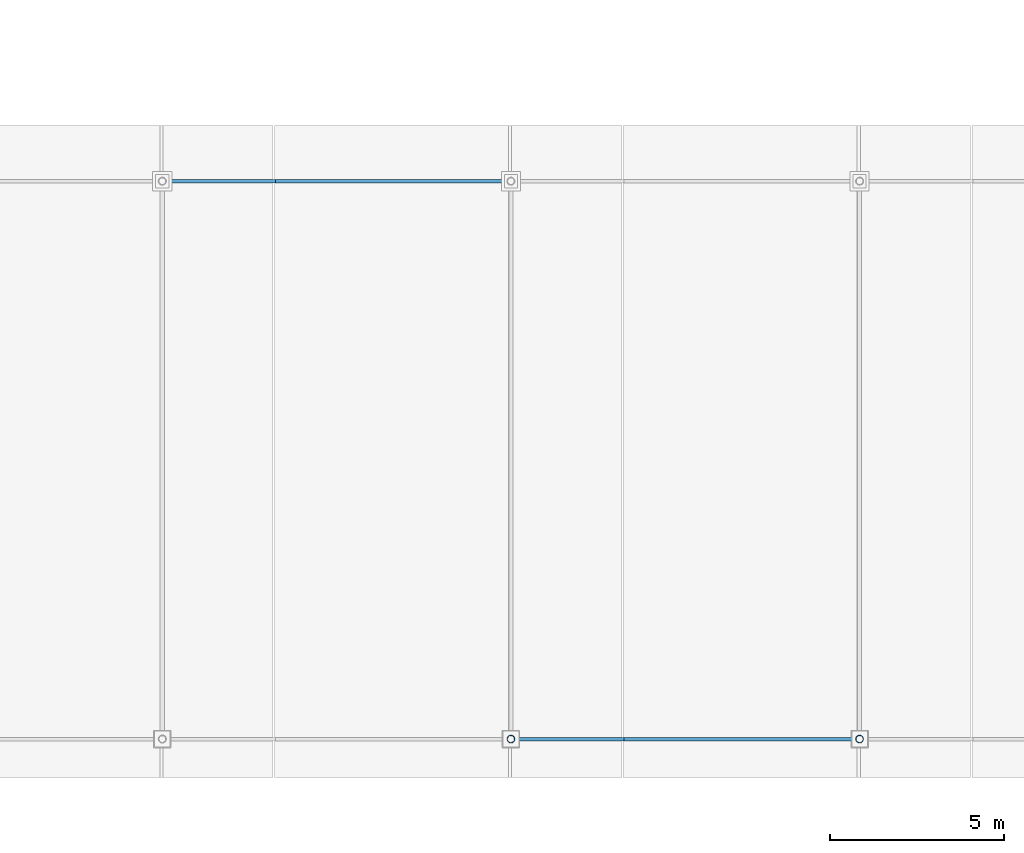
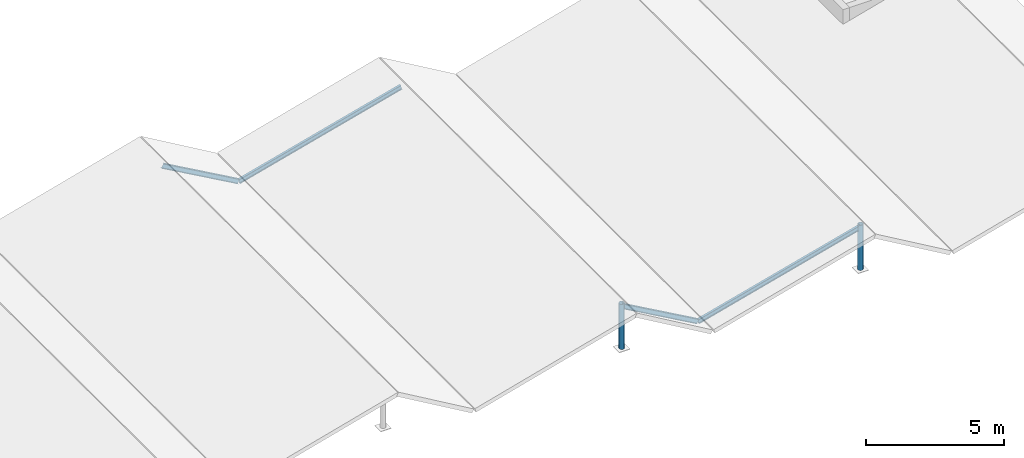
# One storey, part 5 of 70: 4 beams, 2 members.
"""IFC4 building model written with IfcOpenShell, lengths in metres."""

from ifc_helpers import new_model, si_unit, direction, frame, origin, origin_2d, place, context, subcontext, project, spatial, hollow_circle, i_section, extrude, material, material_profile, profile_set, type_object, element, save


model = new_model("IFC4")

# Units and contexts
model_context = context("Model", 3, precision=1e-05, world=origin(), true_north=direction((0.0, 1.0)))
body_context = subcontext(model_context, "Body", "Model", "MODEL_VIEW")
ifc_project = project(units=[si_unit("LENGTHUNIT", "METRE"), si_unit("AREAUNIT", "SQUARE_METRE"), si_unit("VOLUMEUNIT", "CUBIC_METRE"), si_unit("PLANEANGLEUNIT", "RADIAN"), si_unit("MASSUNIT", "GRAM", prefix="KILO")], contexts=[model_context])

# Site, building, storey
site_placement = place(None, origin())
site = spatial("IfcSite", under=ifc_project, at=site_placement, CompositionType="ELEMENT")
building_placement = place(site_placement, origin())
building = spatial("IfcBuilding", under=site, at=building_placement, Name="Zimvara Arc Housing Community", CompositionType="ELEMENT")
storey_placement = place(building_placement, frame((0.0, 0.0, 8.10009765625)))
storey = spatial("IfcBuildingStorey", under=building, at=storey_placement, Name="L02", CompositionType="ELEMENT", Elevation=8.10009765625)

# Beams
ifc_material_1 = material(Name="Steel S355", Category="steel")
ifc_material_profile_1 = material_profile(ifc_material_1, i_section(OverallWidth=0.10009765625, OverallDepth=0.199951171875, WebThickness=0.005615234375, FlangeThickness=0.008544921875, FilletRadius=0.011962890625, at=origin_2d()), Name="IPE 200")
ifc_profile_set_1 = profile_set([ifc_material_profile_1], Name="Steel S355")
beam_type = type_object("IfcBeamType", Name="BM-ST-IPE200", PredefinedType="JOIST", material=ifc_profile_set_1)
for number, where, z_axis, x_axis, name in (
    (1, (24.800048828125, 19.60009765625, 1.119873046875), (0.870400769077, 0.0, -0.492343885095), (0.0, 1.0, 0.0), "bm:shops:L02:raf_e:b2:y1"),
    (2, (34.800048828125, 3.60009765625, 1.119873046875), (0.870400769077, 0.0, -0.492343885095), (0.0, 1.0, 0.0), "bm:shops:L02:raf_e:b3:y0"),
):
    element("IfcBeam", number, at=place(storey_placement, frame(where, z_axis=z_axis, x_axis=x_axis)), inside=storey, type_object=beam_type, Name=name, PredefinedType="JOIST", context=body_context, shape_type="SweptSolid", body=[
        extrude(i_section(OverallWidth=0.10009765625, OverallDepth=0.199951171875, WebThickness=0.005615234375, FlangeThickness=0.008544921875, FilletRadius=0.011962890625, at=origin_2d()), origin(), (0.0, 0.0, 1.0), 3.676513671875),
    ])
for number, where, z_axis, x_axis, name in (
    (3, (28.0, 19.60009765625, -0.690185546875), (0.966351161922, 0.0, 0.257226421373), (0.0, 1.0, 0.0), "bm:shops:L02:raf_w:b3:y1"),
    (4, (38.0, 3.60009765625, -0.690185546875), (0.966351161922, 0.0, 0.257226421373), (0.0, 1.0, 0.0), "bm:shops:L02:raf_w:b4:y0"),
):
    element("IfcBeam", number, at=place(storey_placement, frame(where, z_axis=z_axis, x_axis=x_axis)), inside=storey, type_object=beam_type, Name=name, PredefinedType="JOIST", context=body_context, shape_type="SweptSolid", body=[
        extrude(i_section(OverallWidth=0.10009765625, OverallDepth=0.199951171875, WebThickness=0.005615234375, FlangeThickness=0.008544921875, FilletRadius=0.011962890625, at=origin_2d()), origin(), (0.0, 0.0, 1.0), 7.036865234375),
    ])

# Members
ifc_material_2 = material(Name="Steel S355", Category="steel")
ifc_material_profile_2 = material_profile(ifc_material_2, hollow_circle(Radius=0.109619140625, WallThickness=0.008056640625, at=origin_2d()), Name="CHS 219.1x8.0")
ifc_profile_set_2 = profile_set([ifc_material_profile_2], Name="Steel S355")
member_type = type_object("IfcMemberType", Name="MB-STRUT-CHS219", PredefinedType="STRUT", material=ifc_profile_set_2)
for number, where, z_axis, x_axis, name in (
    (5, (34.800048828125, 3.60009765625, -0.75), (0.0, 0.0, 1.0), (1.0, 0.0, 0.0), "mb:shops:L02:crest_strut:b3:y0"),
    (6, (44.800048828125, 3.60009765625, -0.75), (0.0, 0.0, 1.0), (1.0, 0.0, 0.0), "mb:shops:L02:crest_strut:b4:y0"),
):
    element("IfcMember", number, at=place(storey_placement, frame(where, z_axis=z_axis, x_axis=x_axis)), inside=storey, type_object=member_type, Name=name, PredefinedType="STRUT", context=body_context, shape_type="SweptSolid", body=[
        extrude(hollow_circle(Radius=0.109619140625, WallThickness=0.008056640625, at=origin_2d()), origin(), (0.0, 0.0, 1.0), 2.0),
    ])

save(model, "model.ifc")
